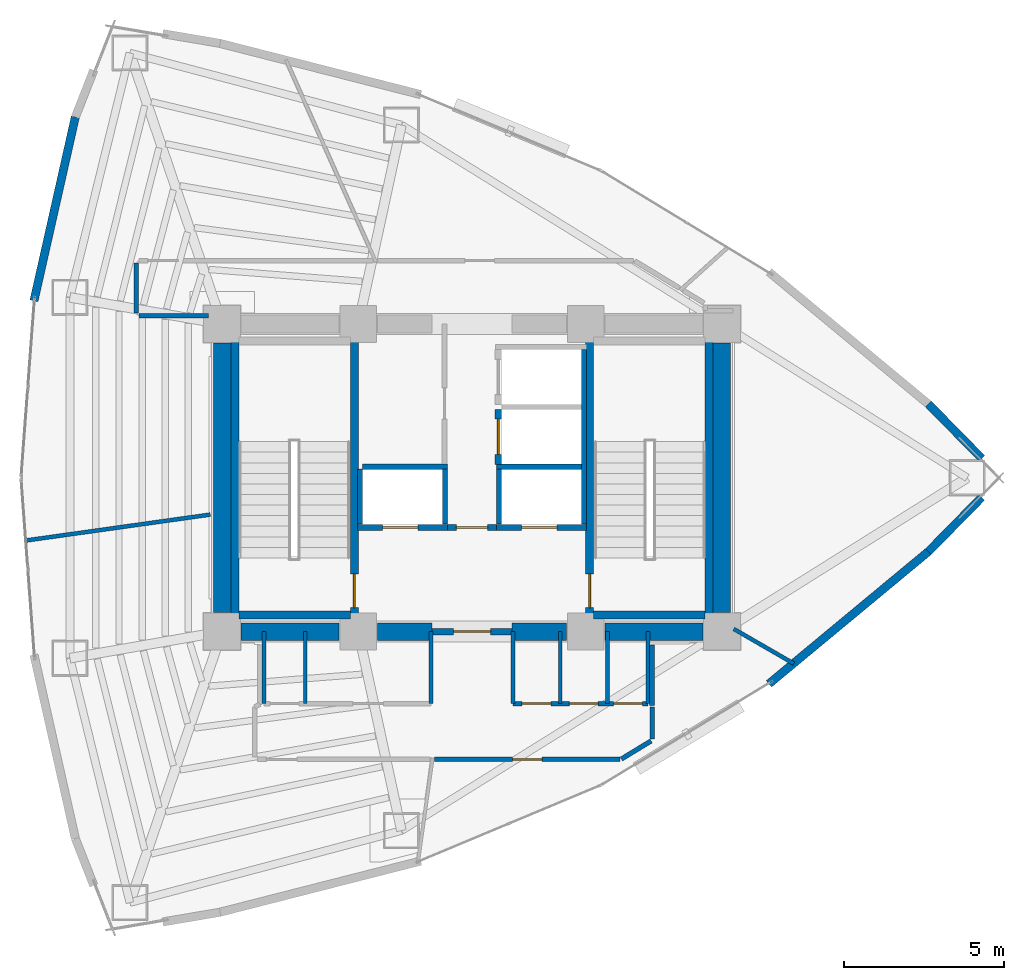
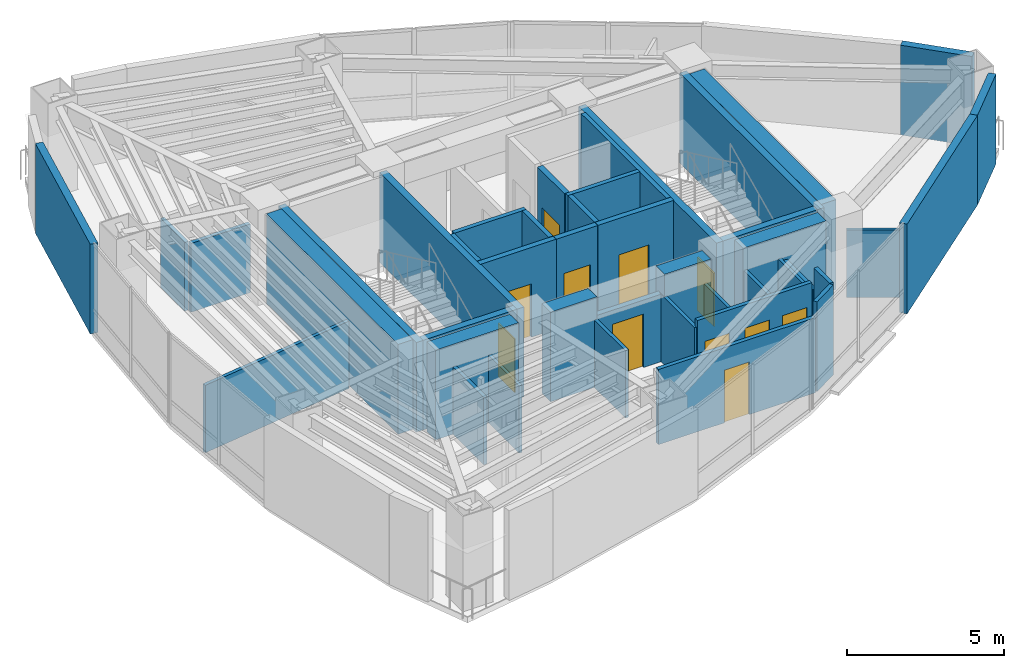
# One storey, part 11 of 15: 43 walls, 11 doors, 11 openings.
"""IFC4 building model written with IfcOpenShell, lengths in metres."""

from ifc_helpers import new_model, si_unit, direction, frame, frame_2d, origin, place, context, subcontext, project, spatial, rectangle, extrude, material, layer, layer_set, type_object, element, fill, save


model = new_model("IFC4")

# Units and contexts
model_context = context("Model", 3, precision=1e-05, world=origin(), true_north=direction((0.0, 1.0)))
body_context = subcontext(model_context, "Body", "Model", "MODEL_VIEW")
ifc_project = project(units=[si_unit("LENGTHUNIT", "METRE"), si_unit("AREAUNIT", "SQUARE_METRE"), si_unit("VOLUMEUNIT", "CUBIC_METRE"), si_unit("PLANEANGLEUNIT", "RADIAN"), si_unit("MASSUNIT", "GRAM", prefix="KILO")], contexts=[model_context])

# Site, building, storey
site_placement = place(None, origin())
site = spatial("IfcSite", under=ifc_project, at=site_placement, CompositionType="ELEMENT")
building_placement = place(site_placement, origin())
building = spatial("IfcBuilding", under=site, at=building_placement, Name="Menara Vayukalpa", CompositionType="ELEMENT")
storey_placement = place(building_placement, frame((0.0, 0.0, 141.179931640625)))
storey = spatial("IfcBuildingStorey", under=building, at=storey_placement, Name="L35", CompositionType="ELEMENT", Elevation=141.179931640625)

# Walls
ifc_material_1 = material(Name="Concrete C60/75", Category="concrete")
ifc_layer_1 = layer(ifc_material_1, 0.550048828125)
ifc_layer_set_1 = layer_set([ifc_layer_1], Name="Concrete C60/75")
wall_type_1 = type_object("IfcWallType", Name="WAL-CW550", PredefinedType="SHEAR", material=ifc_layer_set_1)
wall_1_placement = place(storey_placement, frame((18.39501953125, 17.199951171875, 0.0), z_axis=(0.0, 0.0, 1.0), x_axis=(1.0, 0.0, 0.0)))
element("IfcWall", 1, at=wall_1_placement, inside=storey, type_object=wall_type_1, Name="L35 Buttressed Core Shear Wall CWS1", PredefinedType="SHEAR", context=body_context, shape_type="SweptSolid", body=[
    extrude(rectangle(XDim=3.06005859375, YDim=0.550048828125, at=frame_2d((1.530029296875, 0.0))), origin(), (0.0, 0.0, 1.0), 3.5),
])
wall_2_placement = place(storey_placement, frame((22.64501953125, 17.199951171875, 0.0), z_axis=(0.0, 0.0, 1.0), x_axis=(1.0, 0.0, 0.0)))
element("IfcWall", 2, at=wall_2_placement, inside=storey, type_object=wall_type_1, Name="L35 Buttressed Core Shear Wall CWS2", PredefinedType="SHEAR", context=body_context, shape_type="SweptSolid", body=[
    extrude(rectangle(XDim=1.705078125, YDim=0.550048828125, at=frame_2d((0.8525390625, 0.0))), origin(), (0.0, 0.0, 1.0), 3.5),
])
wall_3_placement = place(storey_placement, frame((26.85009765625, 17.199951171875, 0.0), z_axis=(0.0, 0.0, 1.0), x_axis=(1.0, 0.0, 0.0)))
element("IfcWall", 3, at=wall_3_placement, inside=storey, type_object=wall_type_1, Name="L35 Buttressed Core Shear Wall CWS3", PredefinedType="SHEAR", context=body_context, shape_type="SweptSolid", body=[
    extrude(rectangle(XDim=1.704833984375, YDim=0.550048828125, at=frame_2d((0.8525390625, 0.0))), origin(), (0.0, 0.0, 1.0), 3.5),
])
wall_4_placement = place(storey_placement, frame((29.7451171875, 17.199951171875, 0.0), z_axis=(0.0, 0.0, 1.0), x_axis=(1.0, 0.0, 0.0)))
element("IfcWall", 4, at=wall_4_placement, inside=storey, type_object=wall_type_1, Name="L35 Buttressed Core Shear Wall CWS4", PredefinedType="SHEAR", context=body_context, shape_type="SweptSolid", body=[
    extrude(rectangle(XDim=3.059814453125, YDim=0.550048828125, at=frame_2d((1.52978515625, 0.0))), origin(), (0.0, 0.0, 1.0), 3.5),
])
for number, where, z_axis, x_axis, name in (
    (5, (17.800048828125, 17.794921875, 0.0), (0.0, 0.0, 1.0), (0.0, 1.0, 0.0), "L35 Buttressed Core Shear Wall CWW1"),
    (6, (33.39990234375, 17.794921875, 0.0), (0.0, 0.0, 1.0), (0.0, 1.0, 0.0), "L35 Buttressed Core Shear Wall CWE1"),
):
    element("IfcWall", number, at=place(storey_placement, frame(where, z_axis=z_axis, x_axis=x_axis)), inside=storey, type_object=wall_type_1, Name=name, PredefinedType="SHEAR", context=body_context, shape_type="SweptSolid", body=[
        extrude(rectangle(XDim=8.41015625, YDim=0.550048828125, at=frame_2d((4.205078125, 0.0))), origin(), (0.0, 0.0, 1.0), 3.5),
    ])
ifc_material_2 = material(Name="Insulated Precast Concrete C40/50", Category="concrete")
ifc_layer_2 = layer(ifc_material_2, 0.260009765625)
ifc_layer_set_2 = layer_set([ifc_layer_2], Name="Insulated Precast Concrete C40/50")
wall_type_2 = type_object("IfcWallType", Name="WAL-EXT260", PredefinedType="PARTITIONING", material=ifc_layer_set_2)
for number, where, z_axis, x_axis, name in (
    (7, (41.51171875, 21.3916015625, 0.0), (0.0, 0.0, 1.0), (-0.700554898891, -0.713598510116, 0.0), "L35 Perimeter Terracotta Pier Wall 01"),
    (8, (39.846435546875, 24.3046875, 0.0), (0.0, 0.0, 1.0), (0.700554898891, -0.713598510116, 0.0), "L35 Perimeter Terracotta Pier Wall 02"),
):
    element("IfcWall", number, at=place(storey_placement, frame(where, z_axis=z_axis, x_axis=x_axis)), inside=storey, type_object=wall_type_2, Name=name, PredefinedType="PARTITIONING", context=body_context, shape_type="SweptSolid", body=[
        extrude(rectangle(XDim=2.377197265625, YDim=0.260009765625, at=frame_2d((1.1884765625, 0.0))), origin(), (0.0, 0.0, 1.0), 3.5),
    ])
wall_5_placement = place(storey_placement, frame((11.925048828125, 27.5244140625, 0.0), z_axis=(0.0, 0.0, 1.0), x_axis=(0.219500344647, 0.975612422379, 0.0)))
element("IfcWall", 9, at=wall_5_placement, inside=storey, type_object=wall_type_2, Name="L35 Perimeter Terracotta Pier Wall 09", PredefinedType="PARTITIONING", context=body_context, shape_type="SweptSolid", body=[
    extrude(rectangle(XDim=5.8828125, YDim=0.260009765625, at=frame_2d((2.94140625, 0.0))), origin(), (0.0, 0.0, 1.0), 3.5),
])
wall_6_placement = place(storey_placement, frame((39.855224609375, 19.70361328125, 0.0), z_axis=(0.0, 0.0, 1.0), x_axis=(-0.769754797847, -0.638339683234, 0.0)))
element("IfcWall", 10, at=wall_6_placement, inside=storey, type_object=wall_type_2, Name="L35 Perimeter Terracotta Pier Wall 18", PredefinedType="PARTITIONING", context=body_context, shape_type="SweptSolid", body=[
    extrude(rectangle(XDim=6.476318359375, YDim=0.260009765625, at=frame_2d((3.23828125, 0.0))), origin(), (0.0, 0.0, 1.0), 3.5),
])
ifc_material_3 = material(Name="Lightweight Concrete Blockwork C16/20", Category="masonry")
ifc_layer_3 = layer(ifc_material_3, 0.159912109375)
ifc_layer_set_3 = layer_set([ifc_layer_3], Name="Lightweight Concrete Blockwork C16/20")
wall_type_3 = type_object("IfcWallType", Name="WAL-FR150", PredefinedType="PARTITIONING", material=ifc_layer_set_3)
for number, where, z_axis, x_axis, name in (
    (11, (22.10498046875, 20.56005859375, 0.0), (0.0, 0.0, 1.0), (0.0, 1.0, 0.0), "L35 Interior Partition IW-L35-SHW-WW"),
    (12, (24.7548828125, 20.56005859375, 0.0), (0.0, 0.0, 1.0), (0.0, 1.0, 0.0), "L35 Interior Partition IW-L35-SHW-W1E"),
):
    element("IfcWall", number, at=place(storey_placement, frame(where, z_axis=z_axis, x_axis=x_axis)), inside=storey, type_object=wall_type_3, Name=name, PredefinedType="PARTITIONING", context=body_context, shape_type="SweptSolid", body=[
        extrude(rectangle(XDim=1.7099609375, YDim=0.159912109375, at=frame_2d((0.85498046875, 0.0))), origin(), (0.0, 0.0, 1.0), 3.5),
    ])
wall_7_placement = place(storey_placement, frame((22.179931640625, 22.344970703125, 0.0), z_axis=(0.0, 0.0, 1.0), x_axis=(1.0, 0.0, 0.0)))
element("IfcWall", 13, at=wall_7_placement, inside=storey, type_object=wall_type_3, Name="L35 Interior Partition IW-L35-SHM-W12", PredefinedType="PARTITIONING", context=body_context, shape_type="SweptSolid", body=[
    extrude(rectangle(XDim=2.650146484375, YDim=0.159912109375, at=frame_2d((1.3251953125, 0.0))), origin(), (0.0, 0.0, 1.0), 3.5),
])
wall_8_placement = place(storey_placement, frame((29.094970703125, 20.56005859375, 0.0), z_axis=(0.0, 0.0, 1.0), x_axis=(0.0, 1.0, 0.0)))
element("IfcWall", 14, at=wall_8_placement, inside=storey, type_object=wall_type_3, Name="L35 Interior Partition IW-L35-SHW-EE", PredefinedType="PARTITIONING", context=body_context, shape_type="SweptSolid", body=[
    extrude(rectangle(XDim=5.449951171875, YDim=0.159912109375, at=frame_2d((2.72509765625, 0.0))), origin(), (0.0, 0.0, 1.0), 3.5),
])
wall_9_placement = place(storey_placement, frame((26.445068359375, 20.56005859375, 0.0), z_axis=(0.0, 0.0, 1.0), x_axis=(0.0, 1.0, 0.0)))
element("IfcWall", 15, at=wall_9_placement, inside=storey, type_object=wall_type_3, Name="L35 Interior Partition IW-L35-SHW-E1W", PredefinedType="PARTITIONING", context=body_context, shape_type="SweptSolid", body=[
    extrude(rectangle(XDim=1.7099609375, YDim=0.159912109375, at=frame_2d((0.85498046875, 0.0))), origin(), (0.0, 0.0, 1.0), 3.5),
])
wall_10_placement = place(storey_placement, frame((26.3701171875, 22.344970703125, 0.0), z_axis=(0.0, 0.0, 1.0), x_axis=(1.0, 0.0, 0.0)))
element("IfcWall", 16, at=wall_10_placement, inside=storey, type_object=wall_type_3, Name="L35 Interior Partition IW-L35-SHM-E13", PredefinedType="PARTITIONING", context=body_context, shape_type="SweptSolid", body=[
    extrude(rectangle(XDim=2.64990234375, YDim=0.159912109375, at=frame_2d((1.324951171875, 0.0))), origin(), (0.0, 0.0, 1.0), 3.5),
])

# Wall, opening, door
ifc_material_4 = material(Name="Lightweight Concrete Blockwork C16/20", Category="masonry")
ifc_layer_4 = layer(ifc_material_4, 0.199951171875)
ifc_layer_set_4 = layer_set([ifc_layer_4], Name="Lightweight Concrete Blockwork C16/20")
wall_type_4 = type_object("IfcWallType", Name="WAL-FR200", PredefinedType="PARTITIONING", material=ifc_layer_set_4)
wall_11_placement = place(storey_placement, frame((24.35009765625, 17.199951171875, 0.0), z_axis=(0.0, 0.0, 1.0), x_axis=(1.0, 0.0, 0.0)))
wall_11 = element("IfcWall", 17, at=wall_11_placement, inside=storey, type_object=wall_type_4, Name="L35 Interior Partition IW-L35-FFLS", PredefinedType="PARTITIONING", context=body_context, shape_type="SweptSolid", body=[
    extrude(rectangle(XDim=2.5, YDim=0.199951171875, at=frame_2d((1.25, 0.0))), origin(), (0.0, 0.0, 1.0), 2.630126953125),
])
opening_1_placement = place(wall_11_placement, frame((0.679931640625, 0.0, 0.0)))
opening_1 = element("IfcOpeningElement", 18, at=opening_1_placement, cuts=wall_11, Name="Opening ID2", PredefinedType="OPENING", context=body_context, shape_type="SweptSolid", body=[
    extrude(rectangle(XDim=1.14990234375, YDim=2.080078125, at=frame_2d((0.574951171875, 1.0400390625))), frame((0.0, 0.10986328125, 0.0), z_axis=(0.0, -1.0, 0.0), x_axis=(1.0, 0.0, 0.0)), (0.0, 0.0, 1.0), 0.219970703125),
])
ifc_material_5 = material(Name="Fire-Rated Powder-Coated Steel Door", Category="steel")
door_type_1 = type_object("IfcDoorType", Name="DR-FD60W", OperationType="NOTDEFINED", PredefinedType="DOOR", material=ifc_material_5)
door_1_placement = place(opening_1_placement, origin())
door_1 = element("IfcDoor", 19, at=door_1_placement, inside=storey, type_object=door_type_1, Name="L35 Interior Door DR-L35-FFLS", OperationType="SINGLE_SWING_LEFT", OverallHeight=2.080078125, OverallWidth=1.14990234375, PredefinedType="DOOR", context=body_context, shape_type="SweptSolid", body=[
    extrude(rectangle(XDim=1.14990234375, YDim=2.080078125, at=frame_2d((0.574951171875, 1.0400390625))), frame((0.0, 0.02490234375, 0.0), z_axis=(0.0, -1.0, 0.0), x_axis=(1.0, 0.0, 0.0)), (0.0, 0.0, 1.0), 0.050048828125),
])
fill(opening_1, door_1)

wall_12_placement = place(storey_placement, frame((24.840087890625, 20.449951171875, 0.0), z_axis=(0.0, 0.0, 1.0), x_axis=(1.0, 0.0, 0.0)))
wall_12 = element("IfcWall", 20, at=wall_12_placement, inside=storey, type_object=wall_type_4, Name="L35 Interior Partition IW-L35-FFLN", PredefinedType="PARTITIONING", context=body_context, shape_type="SweptSolid", body=[
    extrude(rectangle(XDim=1.52001953125, YDim=0.199951171875, at=frame_2d((0.760009765625, 0.0))), origin(), (0.0, 0.0, 1.0), 3.5),
])
opening_2_placement = place(wall_12_placement, frame((0.27001953125, 0.0, 0.0)))
opening_2 = element("IfcOpeningElement", 21, at=opening_2_placement, cuts=wall_12, Name="Opening ID3", PredefinedType="OPENING", context=body_context, shape_type="SweptSolid", body=[
    extrude(rectangle(XDim=0.97998046875, YDim=2.06005859375, at=frame_2d((0.489990234375, 1.030029296875))), frame((0.0, 0.10986328125, 0.0), z_axis=(0.0, -1.0, 0.0), x_axis=(1.0, 0.0, 0.0)), (0.0, 0.0, 1.0), 0.219970703125),
])
ifc_material_6 = material(Name="Fire-Rated Powder-Coated Steel Door", Category="steel")
door_type_2 = type_object("IfcDoorType", Name="DR-FD60", OperationType="NOTDEFINED", PredefinedType="DOOR", material=ifc_material_6)
door_2_placement = place(opening_2_placement, origin())
door_2 = element("IfcDoor", 22, at=door_2_placement, inside=storey, type_object=door_type_2, Name="L35 Interior Door DR-L35-FFLN", OperationType="SINGLE_SWING_RIGHT", OverallHeight=2.06005859375, OverallWidth=0.97998046875, PredefinedType="DOOR", context=body_context, shape_type="SweptSolid", body=[
    extrude(rectangle(XDim=0.97998046875, YDim=2.06005859375, at=frame_2d((0.489990234375, 1.030029296875))), frame((0.0, 0.02490234375, 0.0), z_axis=(0.0, -1.0, 0.0), x_axis=(1.0, 0.0, 0.0)), (0.0, 0.0, 1.0), 0.050048828125),
])
fill(opening_2, door_2)

wall_13_placement = place(storey_placement, frame((22.030029296875, 20.449951171875, 0.0), z_axis=(0.0, 0.0, 1.0), x_axis=(1.0, 0.0, 0.0)))
wall_13 = element("IfcWall", 23, at=wall_13_placement, inside=storey, type_object=wall_type_4, Name="L35 Interior Partition IW-L35-SH-W1", PredefinedType="PARTITIONING", context=body_context, shape_type="SweptSolid", body=[
    extrude(rectangle(XDim=2.800048828125, YDim=0.199951171875, at=frame_2d((1.39990234375, 0.0))), origin(), (0.0, 0.0, 1.0), 3.5),
])
opening_3_placement = place(wall_13_placement, frame((0.780029296875, 0.0, 0.0)))
opening_3 = element("IfcOpeningElement", 24, at=opening_3_placement, cuts=wall_13, Name="Opening LD1", PredefinedType="OPENING", context=body_context, shape_type="SweptSolid", body=[
    extrude(rectangle(XDim=1.10009765625, YDim=2.080078125, at=frame_2d((0.550048828125, 1.0400390625))), frame((0.0, 0.10986328125, 0.0), z_axis=(0.0, -1.0, 0.0), x_axis=(1.0, 0.0, 0.0)), (0.0, 0.0, 1.0), 0.219970703125),
])
ifc_material_7 = material(Name="Brushed Stainless Steel 316 Lift Door", Category="steel")
door_type_3 = type_object("IfcDoorType", Name="DR-LD110", OperationType="NOTDEFINED", PredefinedType="DOOR", material=ifc_material_7)
door_3_placement = place(opening_3_placement, origin())
door_3 = element("IfcDoor", 25, at=door_3_placement, inside=storey, type_object=door_type_3, Name="L35 Interior Door DR-L35-LD-W1", OperationType="DOUBLE_DOOR_SLIDING", OverallHeight=2.080078125, OverallWidth=1.10009765625, PredefinedType="DOOR", context=body_context, shape_type="SweptSolid", body=[
    extrude(rectangle(XDim=1.10009765625, YDim=2.080078125, at=frame_2d((0.550048828125, 1.0400390625))), frame((0.0, 0.02490234375, 0.0), z_axis=(0.0, -1.0, 0.0), x_axis=(1.0, 0.0, 0.0)), (0.0, 0.0, 1.0), 0.050048828125),
])
fill(opening_3, door_3)

wall_14_placement = place(storey_placement, frame((26.3701171875, 20.449951171875, 0.0), z_axis=(0.0, 0.0, 1.0), x_axis=(1.0, 0.0, 0.0)))
wall_14 = element("IfcWall", 26, at=wall_14_placement, inside=storey, type_object=wall_type_4, Name="L35 Interior Partition IW-L35-SH-E1", PredefinedType="PARTITIONING", context=body_context, shape_type="SweptSolid", body=[
    extrude(rectangle(XDim=2.7998046875, YDim=0.199951171875, at=frame_2d((1.39990234375, 0.0))), origin(), (0.0, 0.0, 1.0), 3.5),
])
opening_4_placement = place(wall_14_placement, frame((0.780029296875, 0.0, 0.0)))
opening_4 = element("IfcOpeningElement", 27, at=opening_4_placement, cuts=wall_14, Name="Opening LD1", PredefinedType="OPENING", context=body_context, shape_type="SweptSolid", body=[
    extrude(rectangle(XDim=1.10009765625, YDim=2.080078125, at=frame_2d((0.550048828125, 1.0400390625))), frame((0.0, 0.10986328125, 0.0), z_axis=(0.0, -1.0, 0.0), x_axis=(1.0, 0.0, 0.0)), (0.0, 0.0, 1.0), 0.219970703125),
])
door_4_placement = place(opening_4_placement, origin())
door_4 = element("IfcDoor", 28, at=door_4_placement, inside=storey, type_object=door_type_3, Name="L35 Interior Door DR-L35-LD-E1", OperationType="DOUBLE_DOOR_SLIDING", OverallHeight=2.080078125, OverallWidth=1.10009765625, PredefinedType="DOOR", context=body_context, shape_type="SweptSolid", body=[
    extrude(rectangle(XDim=1.10009765625, YDim=2.080078125, at=frame_2d((0.550048828125, 1.0400390625))), frame((0.0, 0.02490234375, 0.0), z_axis=(0.0, -1.0, 0.0), x_axis=(1.0, 0.0, 0.0)), (0.0, 0.0, 1.0), 0.050048828125),
])
fill(opening_4, door_4)

wall_15_placement = place(storey_placement, frame((26.419921875, 22.419921875, 0.0), z_axis=(0.0, 0.0, 1.0), x_axis=(0.0, 1.0, 0.0)))
wall_15 = element("IfcWall", 29, at=wall_15_placement, inside=storey, type_object=wall_type_4, Name="L35 Interior Partition IW-L35-SH-E3", PredefinedType="PARTITIONING", context=body_context, shape_type="SweptSolid", body=[
    extrude(rectangle(XDim=1.719970703125, YDim=0.199951171875, at=frame_2d((0.85986328125, 0.0))), origin(), (0.0, 0.0, 1.0), 3.5),
])
opening_5_placement = place(wall_15_placement, frame((0.31005859375, 0.0, 0.0)))
opening_5 = element("IfcOpeningElement", 30, at=opening_5_placement, cuts=wall_15, Name="Opening LD1", PredefinedType="OPENING", context=body_context, shape_type="SweptSolid", body=[
    extrude(rectangle(XDim=1.10009765625, YDim=2.080078125, at=frame_2d((0.550048828125, 1.0400390625))), frame((0.0, 0.10986328125, 0.0), z_axis=(0.0, -1.0, 0.0), x_axis=(1.0, 0.0, 0.0)), (0.0, 0.0, 1.0), 0.219970703125),
])
door_5_placement = place(opening_5_placement, origin())
door_5 = element("IfcDoor", 31, at=door_5_placement, inside=storey, type_object=door_type_3, Name="L35 Interior Door DR-L35-LD-E3", OperationType="DOUBLE_DOOR_SLIDING", OverallHeight=2.080078125, OverallWidth=1.10009765625, PredefinedType="DOOR", context=body_context, shape_type="SweptSolid", body=[
    extrude(rectangle(XDim=1.10009765625, YDim=2.080078125, at=frame_2d((0.550048828125, 1.0400390625))), frame((0.0, 0.02490234375, 0.0), z_axis=(0.0, -1.0, 0.0), x_axis=(1.0, 0.0, 0.0)), (0.0, 0.0, 1.0), 0.050048828125),
])
fill(opening_5, door_5)

# Walls
ifc_material_8 = material(Name="Acoustic Mineral Stud Partition", Category="masonry")
ifc_layer_5 = layer(ifc_material_8, 0.110107421875)
ifc_layer_set_5 = layer_set([ifc_layer_5], Name="Acoustic Mineral Stud Partition")
wall_type_5 = type_object("IfcWallType", Name="WAL-PT110", PredefinedType="PARTITIONING", material=ifc_layer_set_5)
for number, where, z_axis, x_axis, name in (
    (32, (20.39990234375, 14.949951171875, 0.0), (0.0, 0.0, 1.0), (0.0, 1.0, 0.0), "L35 Interior Partition IW-L35-SVCD-02"),
    (33, (28.35009765625, 14.949951171875, 0.0), (0.0, 0.0, 1.0), (0.0, 1.0, 0.0), "L35 Interior Partition IW-L35-SVCD-05"),
):
    element("IfcWall", number, at=place(storey_placement, frame(where, z_axis=z_axis, x_axis=x_axis)), inside=storey, type_object=wall_type_5, Name=name, PredefinedType="PARTITIONING", context=body_context, shape_type="SweptSolid", body=[
        extrude(rectangle(XDim=2.25, YDim=0.110107421875, at=frame_2d((1.125, 0.0))), origin(), (0.0, 0.0, 1.0), 2.630126953125),
    ])
ifc_material_9 = material(Name="Gypsum Drywall Steel Stud Assembly", Category="steel")
ifc_layer_6 = layer(ifc_material_9, 0.125)
ifc_layer_set_6 = layer_set([ifc_layer_6], Name="Gypsum Drywall Steel Stud Assembly")
wall_type_6 = type_object("IfcWallType", Name="WAL-PT125", PredefinedType="PARTITIONING", material=ifc_layer_set_6)
for number, where, z_axis, x_axis, name in (
    (34, (19.10009765625, 14.949951171875, 0.0), (0.0, 0.0, 1.0), (0.0, 1.0, 0.0), "L35 Interior Partition IW-L35-SVCD-01"),
    (35, (24.320068359375, 14.949951171875, 0.0), (0.0, 0.0, 1.0), (0.0, 1.0, 0.0), "L35 Interior Partition IW-L35-SVCD-03"),
    (36, (26.8798828125, 14.949951171875, 0.0), (0.0, 0.0, 1.0), (0.0, 1.0, 0.0), "L35 Interior Partition IW-L35-SVCD-04"),
    (37, (29.830078125, 14.949951171875, 0.0), (0.0, 0.0, 1.0), (0.0, 1.0, 0.0), "L35 Interior Partition IW-L35-SVCD-06"),
    (38, (31.10009765625, 14.949951171875, 0.0), (0.0, 0.0, 1.0), (0.0, 1.0, 0.0), "L35 Interior Partition IW-L35-SVCD-07"),
):
    element("IfcWall", number, at=place(storey_placement, frame(where, z_axis=z_axis, x_axis=x_axis)), inside=storey, type_object=wall_type_6, Name=name, PredefinedType="PARTITIONING", context=body_context, shape_type="SweptSolid", body=[
        extrude(rectangle(XDim=2.25, YDim=0.125, at=frame_2d((1.125, 0.0))), origin(), (0.0, 0.0, 1.0), 2.630126953125),
    ])
wall_16_placement = place(storey_placement, frame((17.429931640625, 20.851806640625, 0.0), z_axis=(0.0, 0.0, 1.0), x_axis=(-0.99027057622, -0.13915525816, 0.0)))
element("IfcWall", 39, at=wall_16_placement, inside=storey, type_object=wall_type_6, Name="L35 Interior Partition IW-L35-RDIV03", PredefinedType="PARTITIONING", context=body_context, shape_type="SweptSolid", body=[
    extrude(rectangle(XDim=5.822998046875, YDim=0.125, at=frame_2d((2.91162109375, 0.0))), origin(), (0.0, 0.0, 1.0), 2.630126953125),
])
wall_17_placement = place(storey_placement, frame((33.77001953125, 17.282958984375, 0.0), z_axis=(0.0, 0.0, 1.0), x_axis=(0.86604294664, -0.499969613651, 0.0)))
element("IfcWall", 40, at=wall_17_placement, inside=storey, type_object=wall_type_6, Name="L35 Interior Partition IW-L35-RDIV05", PredefinedType="PARTITIONING", context=body_context, shape_type="SweptSolid", body=[
    extrude(rectangle(XDim=2.166259765625, YDim=0.125, at=frame_2d((1.0830078125, 0.0))), origin(), (0.0, 0.0, 1.0), 2.630126953125),
])

# Wall, openings, doors
ifc_material_10 = material(Name="Gypsum Drywall Acoustic Stud Assembly", Category="masonry")
ifc_layer_7 = layer(ifc_material_10, 0.14501953125)
ifc_layer_set_7 = layer_set([ifc_layer_7], Name="Gypsum Drywall Acoustic Stud Assembly")
wall_type_7 = type_object("IfcWallType", Name="WAL-PT150", PredefinedType="PARTITIONING", material=ifc_layer_set_7)
wall_18_placement = place(storey_placement, frame((26.8798828125, 14.949951171875, 0.0), z_axis=(0.0, 0.0, 1.0), x_axis=(1.0, 0.0, 0.0)))
wall_18 = element("IfcWall", 41, at=wall_18_placement, inside=storey, type_object=wall_type_7, Name="L35 Interior Partition IW-L35-SVCS-E", PredefinedType="PARTITIONING", context=body_context, shape_type="SweptSolid", body=[
    extrude(rectangle(XDim=4.22021484375, YDim=0.14501953125, at=frame_2d((2.110107421875, 0.0))), origin(), (0.0, 0.0, 1.0), 2.93017578125),
])
opening_6_placement = place(wall_18_placement, frame((0.280029296875, 0.0, 0.0)))
opening_6 = element("IfcOpeningElement", 42, at=opening_6_placement, cuts=wall_18, Name="Opening ID7", PredefinedType="OPENING", context=body_context, shape_type="SweptSolid", body=[
    extrude(rectangle(XDim=0.89990234375, YDim=2.02001953125, at=frame_2d((0.449951171875, 1.010009765625))), frame((0.0, 0.08251953125, 0.0), z_axis=(0.0, -1.0, 0.0), x_axis=(1.0, 0.0, 0.0)), (0.0, 0.0, 1.0), 0.1650390625),
])
opening_7_placement = place(wall_18_placement, frame((1.760009765625, 0.0, 0.0)))
opening_7 = element("IfcOpeningElement", 43, at=opening_7_placement, cuts=wall_18, Name="Opening ID7", PredefinedType="OPENING", context=body_context, shape_type="SweptSolid", body=[
    extrude(rectangle(XDim=0.89990234375, YDim=2.02001953125, at=frame_2d((0.449951171875, 1.010009765625))), frame((0.0, 0.08251953125, 0.0), z_axis=(0.0, -1.0, 0.0), x_axis=(1.0, 0.0, 0.0)), (0.0, 0.0, 1.0), 0.1650390625),
])
opening_8_placement = place(wall_18_placement, frame((3.139892578125, 0.0, 0.0)))
opening_8 = element("IfcOpeningElement", 44, at=opening_8_placement, cuts=wall_18, Name="Opening ID7", PredefinedType="OPENING", context=body_context, shape_type="SweptSolid", body=[
    extrude(rectangle(XDim=0.89990234375, YDim=2.02001953125, at=frame_2d((0.449951171875, 1.010009765625))), frame((0.0, 0.08251953125, 0.0), z_axis=(0.0, -1.0, 0.0), x_axis=(1.0, 0.0, 0.0)), (0.0, 0.0, 1.0), 0.1650390625),
])
ifc_material_11 = material(Name="Powder-Coated Steel Riser Access Door", Category="steel")
door_type_4 = type_object("IfcDoorType", Name="DR-RISER", OperationType="NOTDEFINED", PredefinedType="DOOR", material=ifc_material_11)
door_6_placement = place(opening_6_placement, origin())
door_6 = element("IfcDoor", 45, at=door_6_placement, inside=storey, type_object=door_type_4, Name="L35 Interior Door DR-L35-KSV1", OperationType="SINGLE_SWING_RIGHT", OverallHeight=2.02001953125, OverallWidth=0.89990234375, PredefinedType="DOOR", context=body_context, shape_type="SweptSolid", body=[
    extrude(rectangle(XDim=0.89990234375, YDim=2.02001953125, at=frame_2d((0.449951171875, 1.010009765625))), frame((0.0, 0.02490234375, 0.0), z_axis=(0.0, -1.0, 0.0), x_axis=(1.0, 0.0, 0.0)), (0.0, 0.0, 1.0), 0.050048828125),
])
fill(opening_6, door_6)
door_7_placement = place(opening_7_placement, origin())
door_7 = element("IfcDoor", 46, at=door_7_placement, inside=storey, type_object=door_type_4, Name="L35 Interior Door DR-L35-KSV2", OperationType="SINGLE_SWING_LEFT", OverallHeight=2.02001953125, OverallWidth=0.89990234375, PredefinedType="DOOR", context=body_context, shape_type="SweptSolid", body=[
    extrude(rectangle(XDim=0.89990234375, YDim=2.02001953125, at=frame_2d((0.449951171875, 1.010009765625))), frame((0.0, 0.02490234375, 0.0), z_axis=(0.0, -1.0, 0.0), x_axis=(1.0, 0.0, 0.0)), (0.0, 0.0, 1.0), 0.050048828125),
])
fill(opening_7, door_7)
door_8_placement = place(opening_8_placement, origin())
door_8 = element("IfcDoor", 47, at=door_8_placement, inside=storey, type_object=door_type_4, Name="L35 Interior Door DR-L35-SMD", OperationType="SINGLE_SWING_RIGHT", OverallHeight=2.02001953125, OverallWidth=0.89990234375, PredefinedType="DOOR", context=body_context, shape_type="SweptSolid", body=[
    extrude(rectangle(XDim=0.89990234375, YDim=2.02001953125, at=frame_2d((0.449951171875, 1.010009765625))), frame((0.0, 0.02490234375, 0.0), z_axis=(0.0, -1.0, 0.0), x_axis=(1.0, 0.0, 0.0)), (0.0, 0.0, 1.0), 0.050048828125),
])
fill(opening_8, door_8)

# Wall, opening, door
wall_19_placement = place(storey_placement, frame((24.435302734375, 13.2099609375, 0.0), z_axis=(0.0, 0.0, 1.0), x_axis=(1.0, 0.0, 0.0)))
wall_19 = element("IfcWall", 48, at=wall_19_placement, inside=storey, type_object=wall_type_7, Name="L35 Interior Partition IW-L35-CRM02-1", PredefinedType="PARTITIONING", context=body_context, shape_type="SweptSolid", body=[
    extrude(rectangle(XDim=5.784912109375, YDim=0.14501953125, at=frame_2d((2.892578125, 0.0))), origin(), (0.0, 0.0, 1.0), 2.93017578125),
])
opening_9_placement = place(wall_19_placement, frame((2.432373046875, 0.0, 0.0)))
opening_9 = element("IfcOpeningElement", 49, at=opening_9_placement, cuts=wall_19, Name="Opening ID6", PredefinedType="OPENING", context=body_context, shape_type="SweptSolid", body=[
    extrude(rectangle(XDim=0.919921875, YDim=2.050048828125, at=frame_2d((0.4599609375, 1.02490234375))), frame((0.0, 0.08251953125, 0.0), z_axis=(0.0, -1.0, 0.0), x_axis=(1.0, 0.0, 0.0)), (0.0, 0.0, 1.0), 0.1650390625),
])
ifc_material_12 = material(Name="Acoustic Hardwood Veneer Timber Door", Category="wood")
door_type_5 = type_object("IfcDoorType", Name="DR-INT92", OperationType="NOTDEFINED", PredefinedType="DOOR", material=ifc_material_12)
door_9_placement = place(opening_9_placement, origin())
door_9 = element("IfcDoor", 50, at=door_9_placement, inside=storey, type_object=door_type_5, Name="L35 Interior Door DR-L35-RM02", OperationType="SINGLE_SWING_RIGHT", OverallHeight=2.050048828125, OverallWidth=0.919921875, PredefinedType="DOOR", context=body_context, shape_type="SweptSolid", body=[
    extrude(rectangle(XDim=0.919921875, YDim=2.050048828125, at=frame_2d((0.4599609375, 1.02490234375))), frame((0.0, 0.02490234375, 0.0), z_axis=(0.0, -1.0, 0.0), x_axis=(1.0, 0.0, 0.0)), (0.0, 0.0, 1.0), 0.050048828125),
])
fill(opening_9, door_9)

# Walls
wall_20_placement = place(storey_placement, frame((30.26171875, 13.2216796875, 0.0), z_axis=(0.0, 0.0, 1.0), x_axis=(0.854687931931, 0.519142118318, 0.0)))
element("IfcWall", 51, at=wall_20_placement, inside=storey, type_object=wall_type_7, Name="L35 Interior Partition IW-L35-CRM02-2", PredefinedType="PARTITIONING", context=body_context, shape_type="SweptSolid", body=[
    extrude(rectangle(XDim=1.087646484375, YDim=0.14501953125, at=frame_2d((0.5439453125, 0.0))), origin(), (0.0, 0.0, 1.0), 3.5),
])
wall_21_placement = place(storey_placement, frame((31.22998046875, 13.854736328125, 0.0), z_axis=(0.0, 0.0, 1.0), x_axis=(0.0, 1.0, 0.0)))
element("IfcWall", 52, at=wall_21_placement, inside=storey, type_object=wall_type_7, Name="L35 Interior Partition IW-L35-CRM02-3", PredefinedType="PARTITIONING", context=body_context, shape_type="SweptSolid", body=[
    extrude(rectangle(XDim=0.995361328125, YDim=0.14501953125, at=frame_2d((0.49755859375, 0.0))), origin(), (0.0, 0.0, 1.0), 3.5),
])
wall_22_placement = place(storey_placement, frame((31.219970703125, 14.888671875, 0.0), z_axis=(0.0, 0.0, 1.0), x_axis=(0.0, 1.0, 0.0)))
element("IfcWall", 53, at=wall_22_placement, inside=storey, type_object=wall_type_7, Name="L35 Interior Partition IW-L35-CRM02-4", PredefinedType="PARTITIONING", context=body_context, shape_type="SweptSolid", body=[
    extrude(rectangle(XDim=1.891357421875, YDim=0.14501953125, at=frame_2d((0.94580078125, 0.0))), origin(), (0.0, 0.0, 1.0), 2.630126953125),
])
wall_23_placement = place(storey_placement, frame((15.1201171875, 28.699951171875, 0.0), z_axis=(0.0, 0.0, 1.0), x_axis=(0.0, -1.0, 0.0)))
element("IfcWall", 54, at=wall_23_placement, inside=storey, type_object=wall_type_7, Name="L35 Interior Partition IW-L35-CRM05-2", PredefinedType="PARTITIONING", context=body_context, shape_type="SweptSolid", body=[
    extrude(rectangle(XDim=1.56005859375, YDim=0.14501953125, at=frame_2d((0.780029296875, 0.0))), origin(), (0.0, 0.0, 1.0), 2.68017578125),
])
wall_24_placement = place(storey_placement, frame((15.199951171875, 27.06005859375, 0.0), z_axis=(0.0, 0.0, 1.0), x_axis=(1.0, 0.0, 0.0)))
element("IfcWall", 55, at=wall_24_placement, inside=storey, type_object=wall_type_7, Name="L35 Interior Partition IW-L35-CRM05-3", PredefinedType="PARTITIONING", context=body_context, shape_type="SweptSolid", body=[
    extrude(rectangle(XDim=2.179931640625, YDim=0.14501953125, at=frame_2d((1.08984375, 0.0))), origin(), (0.0, 0.0, 1.0), 2.68017578125),
])
ifc_material_13 = material(Name="Concrete C50/60", Category="concrete")
ifc_layer_8 = layer(ifc_material_13, 0.25)
ifc_layer_set_8 = layer_set([ifc_layer_8], Name="Concrete C50/60")
wall_type_8 = type_object("IfcWallType", Name="WAL-SW250", PredefinedType="SHEAR", material=ifc_layer_set_8)
wall_25_placement = place(storey_placement, frame((18.2041015625, 17.60009765625, 0.0), z_axis=(0.0, 0.0, 1.0), x_axis=(0.0, 1.0, 0.0)))
element("IfcWall", 56, at=wall_25_placement, inside=storey, type_object=wall_type_8, Name="L35 ST1 Structural Stair Shaft Wall W", PredefinedType="SHEAR", context=body_context, shape_type="SweptSolid", body=[
    extrude(rectangle(XDim=8.7998046875, YDim=0.25, at=frame_2d((4.39990234375, 0.0))), origin(), (0.0, 0.0, 1.0), 3.5),
])

# Wall, opening, door
wall_26_placement = place(storey_placement, frame((21.925048828125, 17.60009765625, 0.0), z_axis=(0.0, 0.0, 1.0), x_axis=(0.0, 1.0, 0.0)))
wall_26 = element("IfcWall", 57, at=wall_26_placement, inside=storey, type_object=wall_type_8, Name="L35 ST1 Structural Stair Shaft Wall E", PredefinedType="SHEAR", context=body_context, shape_type="SweptSolid", body=[
    extrude(rectangle(XDim=8.7998046875, YDim=0.25, at=frame_2d((4.39990234375, 0.0))), origin(), (0.0, 0.0, 1.0), 3.5),
])
opening_10_placement = place(wall_26_placement, frame((0.35009765625, 0.0, 0.0)))
opening_10 = element("IfcOpeningElement", 58, at=opening_10_placement, cuts=wall_26, Name="Opening ID1", PredefinedType="OPENING", context=body_context, shape_type="SweptSolid", body=[
    extrude(rectangle(XDim=1.050048828125, YDim=2.080078125, at=frame_2d((0.52490234375, 1.0400390625))), frame((0.0, 0.135009765625, 0.0), z_axis=(0.0, -1.0, 0.0), x_axis=(1.0, 0.0, 0.0)), (0.0, 0.0, 1.0), 0.27001953125),
])
ifc_material_14 = material(Name="Fire-Rated Powder-Coated Steel Door", Category="steel")
door_type_6 = type_object("IfcDoorType", Name="DR-FD120", OperationType="NOTDEFINED", PredefinedType="DOOR", material=ifc_material_14)
door_10_placement = place(opening_10_placement, origin())
door_10 = element("IfcDoor", 59, at=door_10_placement, inside=storey, type_object=door_type_6, Name="L35 Stair Exit Door DR-L35-ST1", OperationType="SINGLE_SWING_LEFT", OverallHeight=2.080078125, OverallWidth=1.050048828125, PredefinedType="DOOR", context=body_context, shape_type="SweptSolid", body=[
    extrude(rectangle(XDim=1.050048828125, YDim=2.080078125, at=frame_2d((0.52490234375, 1.0400390625))), frame((0.0, 0.02490234375, 0.0), z_axis=(0.0, -1.0, 0.0), x_axis=(1.0, 0.0, 0.0)), (0.0, 0.0, 1.0), 0.050048828125),
])
fill(opening_10, door_10)

# Wall
wall_27_placement = place(storey_placement, frame((18.3291015625, 17.72509765625, 0.0), z_axis=(0.0, 0.0, 1.0), x_axis=(1.0, 0.0, 0.0)))
element("IfcWall", 60, at=wall_27_placement, inside=storey, type_object=wall_type_8, Name="L35 ST1 Structural Stair Shaft Wall S", PredefinedType="SHEAR", context=body_context, shape_type="SweptSolid", body=[
    extrude(rectangle(XDim=3.470947265625, YDim=0.25, at=frame_2d((1.7353515625, 0.0))), origin(), (0.0, 0.0, 1.0), 3.5),
])

# Wall, opening, door
wall_28_placement = place(storey_placement, frame((29.27490234375, 17.60009765625, 0.0), z_axis=(0.0, 0.0, 1.0), x_axis=(0.0, 1.0, 0.0)))
wall_28 = element("IfcWall", 61, at=wall_28_placement, inside=storey, type_object=wall_type_8, Name="L35 ST2 Structural Stair Shaft Wall W", PredefinedType="SHEAR", context=body_context, shape_type="SweptSolid", body=[
    extrude(rectangle(XDim=8.7998046875, YDim=0.25, at=frame_2d((4.39990234375, 0.0))), origin(), (0.0, 0.0, 1.0), 3.5),
])
opening_11_placement = place(wall_28_placement, frame((0.35009765625, 0.0, 0.0)))
opening_11 = element("IfcOpeningElement", 62, at=opening_11_placement, cuts=wall_28, Name="Opening ID1", PredefinedType="OPENING", context=body_context, shape_type="SweptSolid", body=[
    extrude(rectangle(XDim=1.050048828125, YDim=2.080078125, at=frame_2d((0.52490234375, 1.0400390625))), frame((0.0, 0.135009765625, 0.0), z_axis=(0.0, -1.0, 0.0), x_axis=(1.0, 0.0, 0.0)), (0.0, 0.0, 1.0), 0.27001953125),
])
door_11_placement = place(opening_11_placement, origin())
door_11 = element("IfcDoor", 63, at=door_11_placement, inside=storey, type_object=door_type_6, Name="L35 Stair Exit Door DR-L35-ST2", OperationType="SINGLE_SWING_RIGHT", OverallHeight=2.080078125, OverallWidth=1.050048828125, PredefinedType="DOOR", context=body_context, shape_type="SweptSolid", body=[
    extrude(rectangle(XDim=1.050048828125, YDim=2.080078125, at=frame_2d((0.52490234375, 1.0400390625))), frame((0.0, 0.02490234375, 0.0), z_axis=(0.0, -1.0, 0.0), x_axis=(1.0, 0.0, 0.0)), (0.0, 0.0, 1.0), 0.050048828125),
])
fill(opening_11, door_11)

# Walls
wall_29_placement = place(storey_placement, frame((32.99609375, 17.60009765625, 0.0), z_axis=(0.0, 0.0, 1.0), x_axis=(0.0, 1.0, 0.0)))
element("IfcWall", 64, at=wall_29_placement, inside=storey, type_object=wall_type_8, Name="L35 ST2 Structural Stair Shaft Wall E", PredefinedType="SHEAR", context=body_context, shape_type="SweptSolid", body=[
    extrude(rectangle(XDim=8.7998046875, YDim=0.25, at=frame_2d((4.39990234375, 0.0))), origin(), (0.0, 0.0, 1.0), 3.5),
])
wall_30_placement = place(storey_placement, frame((29.39990234375, 17.72509765625, 0.0), z_axis=(0.0, 0.0, 1.0), x_axis=(1.0, 0.0, 0.0)))
element("IfcWall", 65, at=wall_30_placement, inside=storey, type_object=wall_type_8, Name="L35 ST2 Structural Stair Shaft Wall S", PredefinedType="SHEAR", context=body_context, shape_type="SweptSolid", body=[
    extrude(rectangle(XDim=3.47119140625, YDim=0.25, at=frame_2d((1.735595703125, 0.0))), origin(), (0.0, 0.0, 1.0), 3.5),
])

save(model, "model.ifc")
